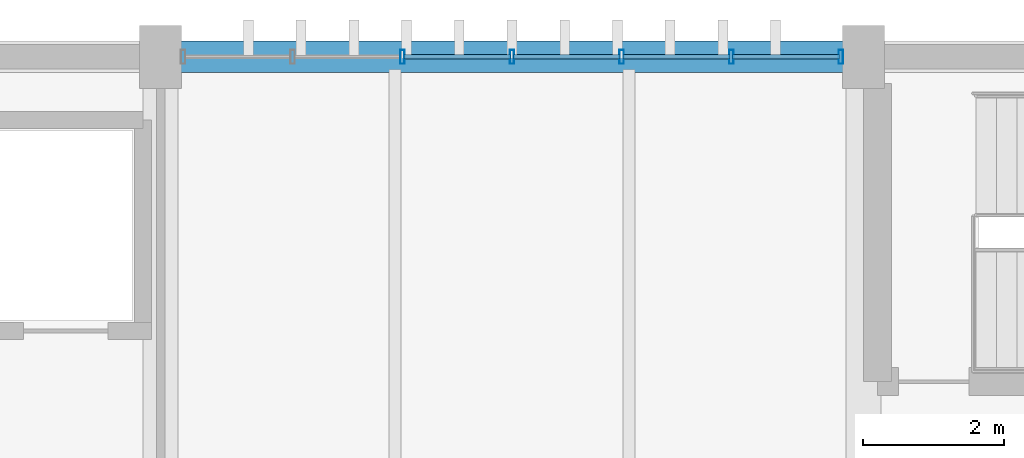
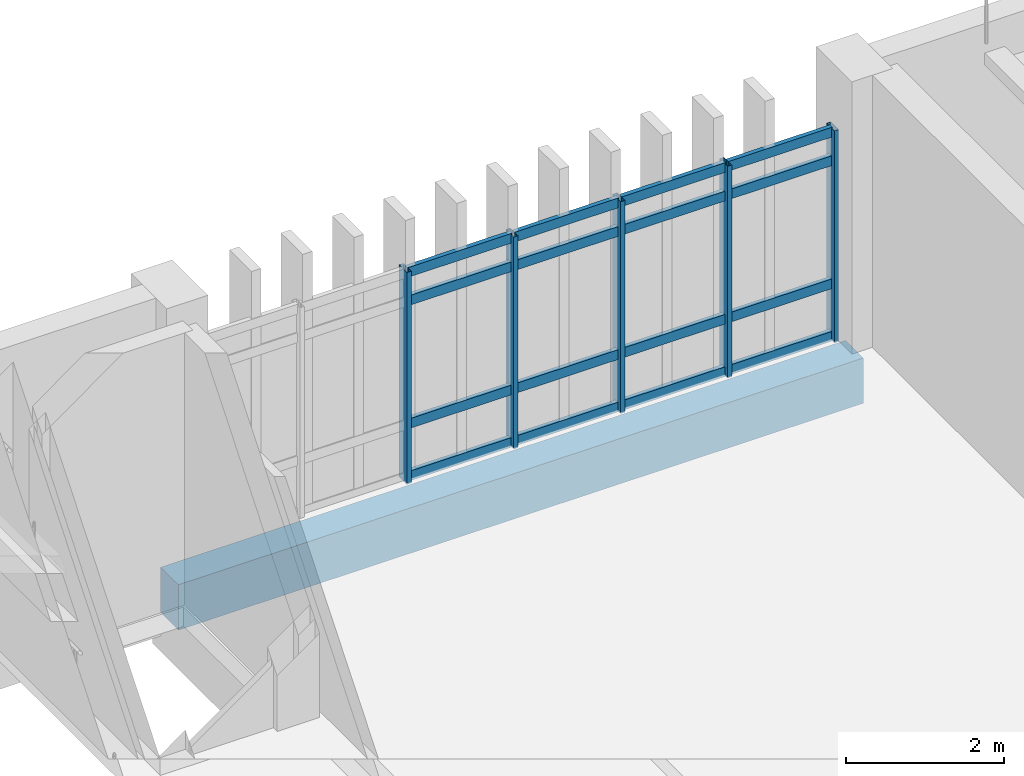
# One storey, part 94 of 161: 21 members, 1 beam, 1 element without a shape of its own.
"""IFC4 building model written with IfcOpenShell, lengths in metres."""

from ifc_helpers import new_model, si_unit, direction, frame, origin, origin_2d, place, context, subcontext, project, spatial, rectangle, hollow_rectangle, extrude, material, layer, layer_set, material_profile, profile_set, type_object, element, aggregate, save


model = new_model("IFC4")

# Units and contexts
model_context = context("Model", 3, precision=1e-05, world=origin(), true_north=direction((0.0, 1.0)))
body_context = subcontext(model_context, "Body", "Model", "MODEL_VIEW")
ifc_project = project(units=[si_unit("LENGTHUNIT", "METRE"), si_unit("AREAUNIT", "SQUARE_METRE"), si_unit("VOLUMEUNIT", "CUBIC_METRE"), si_unit("PLANEANGLEUNIT", "RADIAN"), si_unit("MASSUNIT", "GRAM", prefix="KILO")], contexts=[model_context])

# Site, building, storey
site_placement = place(None, origin())
site = spatial("IfcSite", under=ifc_project, at=site_placement, CompositionType="ELEMENT")
building_placement = place(site_placement, origin())
building = spatial("IfcBuilding", under=site, at=building_placement, Name="Mersad Railyard Sports Hall", CompositionType="ELEMENT")
storey_placement = place(building_placement, frame((0.0, 0.0, 4.800048828125)))
storey = spatial("IfcBuildingStorey", under=building, at=storey_placement, Name="L01", CompositionType="ELEMENT", Elevation=4.800048828125)

# Curtain wall, members
ifc_material_1 = material(Name="Aluminium 6063-T6", Category="aluminium")
ifc_layer = layer(ifc_material_1, 0.199951171875)
ifc_layer_set = layer_set([ifc_layer], Name="Aluminium 6063-T6")
curtain_wall_type = type_object("IfcCurtainWallType", Name="ARC-CW-CW35", PredefinedType="USERDEFINED", material=ifc_layer_set)
curtain_wall_placement = place(storey_placement, origin())
curtain_wall = element("IfcCurtainWall", 1, at=curtain_wall_placement, inside=storey, type_object=curtain_wall_type, Name="Curtain wall CW35-0098", ObjectType="CURTAIN WALL", PredefinedType="USERDEFINED")
ifc_material_profile_1 = material_profile(ifc_material_1, hollow_rectangle(XDim=0.06494140625, YDim=0.199951171875, WallThickness=0.0048828125, at=origin_2d()), Name="AL MULLION 65x200x5")
ifc_profile_set_1 = profile_set([ifc_material_profile_1], Name="Aluminium 6063-T6")
member_type_1 = type_object("IfcMemberType", Name="ARC-CW-MUL02", PredefinedType="MULLION", material=ifc_profile_set_1)
member_1_placement = place(storey_placement, frame((104.43994140625, 115.0, -0.02001953125), z_axis=(0.0, 0.0, 1.0), x_axis=(1.0, 0.0, 0.0)))
member_1 = element("IfcMember", 2, at=member_1_placement, type_object=member_type_1, Name="CW35 Mullion 3", PredefinedType="MULLION", context=body_context, shape_type="SweptSolid", body=[
    extrude(hollow_rectangle(XDim=0.06494140625, YDim=0.199951171875, WallThickness=0.0048828125, at=origin_2d()), origin(), (0.0, 0.0, 1.0), 3.27001953125),
])
member_2_placement = place(storey_placement, frame((106.0, 115.0, -0.02001953125), z_axis=(0.0, 0.0, 1.0), x_axis=(1.0, 0.0, 0.0)))
member_2 = element("IfcMember", 3, at=member_2_placement, type_object=member_type_1, Name="CW35 Mullion 4", PredefinedType="MULLION", context=body_context, shape_type="SweptSolid", body=[
    extrude(hollow_rectangle(XDim=0.06494140625, YDim=0.199951171875, WallThickness=0.0048828125, at=origin_2d()), origin(), (0.0, 0.0, 1.0), 3.27001953125),
])
member_3_placement = place(storey_placement, frame((107.56005859375, 115.0, -0.02001953125), z_axis=(0.0, 0.0, 1.0), x_axis=(1.0, 0.0, 0.0)))
member_3 = element("IfcMember", 4, at=member_3_placement, type_object=member_type_1, Name="CW35 Mullion 5", PredefinedType="MULLION", context=body_context, shape_type="SweptSolid", body=[
    extrude(hollow_rectangle(XDim=0.06494140625, YDim=0.199951171875, WallThickness=0.0048828125, at=origin_2d()), origin(), (0.0, 0.0, 1.0), 3.27001953125),
])
member_4_placement = place(storey_placement, frame((109.1201171875, 115.0, -0.02001953125), z_axis=(0.0, 0.0, 1.0), x_axis=(1.0, 0.0, 0.0)))
member_4 = element("IfcMember", 5, at=member_4_placement, type_object=member_type_1, Name="CW35 Mullion 6", PredefinedType="MULLION", context=body_context, shape_type="SweptSolid", body=[
    extrude(hollow_rectangle(XDim=0.06494140625, YDim=0.199951171875, WallThickness=0.0048828125, at=origin_2d()), origin(), (0.0, 0.0, 1.0), 3.27001953125),
])
member_5_placement = place(storey_placement, frame((110.679931640625, 115.0, -0.02001953125), z_axis=(0.0, 0.0, 1.0), x_axis=(1.0, 0.0, 0.0)))
member_5 = element("IfcMember", 6, at=member_5_placement, type_object=member_type_1, Name="CW35 Mullion 7", PredefinedType="MULLION", context=body_context, shape_type="SweptSolid", body=[
    extrude(hollow_rectangle(XDim=0.06494140625, YDim=0.199951171875, WallThickness=0.0048828125, at=origin_2d()), origin(), (0.0, 0.0, 1.0), 3.27001953125),
])
ifc_material_profile_2 = material_profile(ifc_material_1, hollow_rectangle(XDim=0.06494140625, YDim=0.14990234375, WallThickness=0.00439453125, at=origin_2d()), Name="AL TRANSOM 65x150x4.5")
ifc_profile_set_2 = profile_set([ifc_material_profile_2], Name="Aluminium 6063-T6")
member_type_2 = type_object("IfcMemberType", Name="ARC-CW-TRN02", PredefinedType="USERDEFINED", material=ifc_profile_set_2)
member_6_placement = place(storey_placement, frame((104.4599609375, 115.0, 0.0400390625), z_axis=(1.0, 0.0, 0.0), x_axis=(0.0, 1.0, 0.0)))
member_6 = element("IfcMember", 7, at=member_6_placement, type_object=member_type_2, Name="CW35 Transom 1-3", ObjectType="TRANSOM", PredefinedType="USERDEFINED", context=body_context, shape_type="SweptSolid", body=[
    extrude(hollow_rectangle(XDim=0.06494140625, YDim=0.14990234375, WallThickness=0.00439453125, at=origin_2d()), origin(), (0.0, 0.0, 1.0), 1.52001953125),
])
member_7_placement = place(storey_placement, frame((106.02001953125, 115.0, 0.0400390625), z_axis=(1.0, 0.0, 0.0), x_axis=(0.0, 1.0, 0.0)))
member_7 = element("IfcMember", 8, at=member_7_placement, type_object=member_type_2, Name="CW35 Transom 1-4", ObjectType="TRANSOM", PredefinedType="USERDEFINED", context=body_context, shape_type="SweptSolid", body=[
    extrude(hollow_rectangle(XDim=0.06494140625, YDim=0.14990234375, WallThickness=0.00439453125, at=origin_2d()), origin(), (0.0, 0.0, 1.0), 1.52001953125),
])
member_8_placement = place(storey_placement, frame((107.580078125, 115.0, 0.0400390625), z_axis=(1.0, 0.0, 0.0), x_axis=(0.0, 1.0, 0.0)))
member_8 = element("IfcMember", 9, at=member_8_placement, type_object=member_type_2, Name="CW35 Transom 1-5", ObjectType="TRANSOM", PredefinedType="USERDEFINED", context=body_context, shape_type="SweptSolid", body=[
    extrude(hollow_rectangle(XDim=0.06494140625, YDim=0.14990234375, WallThickness=0.00439453125, at=origin_2d()), origin(), (0.0, 0.0, 1.0), 1.52001953125),
])
member_9_placement = place(storey_placement, frame((109.139892578125, 115.0, 0.0400390625), z_axis=(1.0, 0.0, 0.0), x_axis=(0.0, 1.0, 0.0)))
member_9 = element("IfcMember", 10, at=member_9_placement, type_object=member_type_2, Name="CW35 Transom 1-6", ObjectType="TRANSOM", PredefinedType="USERDEFINED", context=body_context, shape_type="SweptSolid", body=[
    extrude(hollow_rectangle(XDim=0.06494140625, YDim=0.14990234375, WallThickness=0.00439453125, at=origin_2d()), origin(), (0.0, 0.0, 1.0), 1.52001953125),
])
member_10_placement = place(storey_placement, frame((104.4599609375, 115.0, 0.849853515625), z_axis=(1.0, 0.0, 0.0), x_axis=(0.0, 1.0, 0.0)))
member_10 = element("IfcMember", 11, at=member_10_placement, type_object=member_type_2, Name="CW35 Transom 2-3", ObjectType="TRANSOM", PredefinedType="USERDEFINED", context=body_context, shape_type="SweptSolid", body=[
    extrude(hollow_rectangle(XDim=0.06494140625, YDim=0.14990234375, WallThickness=0.00439453125, at=origin_2d()), origin(), (0.0, 0.0, 1.0), 1.52001953125),
])
member_11_placement = place(storey_placement, frame((106.02001953125, 115.0, 0.849853515625), z_axis=(1.0, 0.0, 0.0), x_axis=(0.0, 1.0, 0.0)))
member_11 = element("IfcMember", 12, at=member_11_placement, type_object=member_type_2, Name="CW35 Transom 2-4", ObjectType="TRANSOM", PredefinedType="USERDEFINED", context=body_context, shape_type="SweptSolid", body=[
    extrude(hollow_rectangle(XDim=0.06494140625, YDim=0.14990234375, WallThickness=0.00439453125, at=origin_2d()), origin(), (0.0, 0.0, 1.0), 1.52001953125),
])
member_12_placement = place(storey_placement, frame((107.580078125, 115.0, 0.849853515625), z_axis=(1.0, 0.0, 0.0), x_axis=(0.0, 1.0, 0.0)))
member_12 = element("IfcMember", 13, at=member_12_placement, type_object=member_type_2, Name="CW35 Transom 2-5", ObjectType="TRANSOM", PredefinedType="USERDEFINED", context=body_context, shape_type="SweptSolid", body=[
    extrude(hollow_rectangle(XDim=0.06494140625, YDim=0.14990234375, WallThickness=0.00439453125, at=origin_2d()), origin(), (0.0, 0.0, 1.0), 1.52001953125),
])
member_13_placement = place(storey_placement, frame((109.139892578125, 115.0, 0.849853515625), z_axis=(1.0, 0.0, 0.0), x_axis=(0.0, 1.0, 0.0)))
member_13 = element("IfcMember", 14, at=member_13_placement, type_object=member_type_2, Name="CW35 Transom 2-6", ObjectType="TRANSOM", PredefinedType="USERDEFINED", context=body_context, shape_type="SweptSolid", body=[
    extrude(hollow_rectangle(XDim=0.06494140625, YDim=0.14990234375, WallThickness=0.00439453125, at=origin_2d()), origin(), (0.0, 0.0, 1.0), 1.52001953125),
])
member_14_placement = place(storey_placement, frame((104.4599609375, 115.0, 2.75), z_axis=(1.0, 0.0, 0.0), x_axis=(0.0, 1.0, 0.0)))
member_14 = element("IfcMember", 15, at=member_14_placement, type_object=member_type_2, Name="CW35 Transom 3-3", ObjectType="TRANSOM", PredefinedType="USERDEFINED", context=body_context, shape_type="SweptSolid", body=[
    extrude(hollow_rectangle(XDim=0.06494140625, YDim=0.14990234375, WallThickness=0.00439453125, at=origin_2d()), origin(), (0.0, 0.0, 1.0), 1.52001953125),
])
member_15_placement = place(storey_placement, frame((106.02001953125, 115.0, 2.75), z_axis=(1.0, 0.0, 0.0), x_axis=(0.0, 1.0, 0.0)))
member_15 = element("IfcMember", 16, at=member_15_placement, type_object=member_type_2, Name="CW35 Transom 3-4", ObjectType="TRANSOM", PredefinedType="USERDEFINED", context=body_context, shape_type="SweptSolid", body=[
    extrude(hollow_rectangle(XDim=0.06494140625, YDim=0.14990234375, WallThickness=0.00439453125, at=origin_2d()), origin(), (0.0, 0.0, 1.0), 1.52001953125),
])
member_16_placement = place(storey_placement, frame((107.580078125, 115.0, 2.75), z_axis=(1.0, 0.0, 0.0), x_axis=(0.0, 1.0, 0.0)))
member_16 = element("IfcMember", 17, at=member_16_placement, type_object=member_type_2, Name="CW35 Transom 3-5", ObjectType="TRANSOM", PredefinedType="USERDEFINED", context=body_context, shape_type="SweptSolid", body=[
    extrude(hollow_rectangle(XDim=0.06494140625, YDim=0.14990234375, WallThickness=0.00439453125, at=origin_2d()), origin(), (0.0, 0.0, 1.0), 1.52001953125),
])
member_17_placement = place(storey_placement, frame((109.139892578125, 115.0, 2.75), z_axis=(1.0, 0.0, 0.0), x_axis=(0.0, 1.0, 0.0)))
member_17 = element("IfcMember", 18, at=member_17_placement, type_object=member_type_2, Name="CW35 Transom 3-6", ObjectType="TRANSOM", PredefinedType="USERDEFINED", context=body_context, shape_type="SweptSolid", body=[
    extrude(hollow_rectangle(XDim=0.06494140625, YDim=0.14990234375, WallThickness=0.00439453125, at=origin_2d()), origin(), (0.0, 0.0, 1.0), 1.52001953125),
])
member_18_placement = place(storey_placement, frame((104.4599609375, 115.0, 3.18994140625), z_axis=(1.0, 0.0, 0.0), x_axis=(0.0, 1.0, 0.0)))
member_18 = element("IfcMember", 19, at=member_18_placement, type_object=member_type_2, Name="CW35 Transom 4-3", ObjectType="TRANSOM", PredefinedType="USERDEFINED", context=body_context, shape_type="SweptSolid", body=[
    extrude(hollow_rectangle(XDim=0.06494140625, YDim=0.14990234375, WallThickness=0.00439453125, at=origin_2d()), origin(), (0.0, 0.0, 1.0), 1.52001953125),
])
member_19_placement = place(storey_placement, frame((106.02001953125, 115.0, 3.18994140625), z_axis=(1.0, 0.0, 0.0), x_axis=(0.0, 1.0, 0.0)))
member_19 = element("IfcMember", 20, at=member_19_placement, type_object=member_type_2, Name="CW35 Transom 4-4", ObjectType="TRANSOM", PredefinedType="USERDEFINED", context=body_context, shape_type="SweptSolid", body=[
    extrude(hollow_rectangle(XDim=0.06494140625, YDim=0.14990234375, WallThickness=0.00439453125, at=origin_2d()), origin(), (0.0, 0.0, 1.0), 1.52001953125),
])
member_20_placement = place(storey_placement, frame((107.580078125, 115.0, 3.18994140625), z_axis=(1.0, 0.0, 0.0), x_axis=(0.0, 1.0, 0.0)))
member_20 = element("IfcMember", 21, at=member_20_placement, type_object=member_type_2, Name="CW35 Transom 4-5", ObjectType="TRANSOM", PredefinedType="USERDEFINED", context=body_context, shape_type="SweptSolid", body=[
    extrude(hollow_rectangle(XDim=0.06494140625, YDim=0.14990234375, WallThickness=0.00439453125, at=origin_2d()), origin(), (0.0, 0.0, 1.0), 1.52001953125),
])
member_21_placement = place(storey_placement, frame((109.139892578125, 115.0, 3.18994140625), z_axis=(1.0, 0.0, 0.0), x_axis=(0.0, 1.0, 0.0)))
member_21 = element("IfcMember", 22, at=member_21_placement, type_object=member_type_2, Name="CW35 Transom 4-6", ObjectType="TRANSOM", PredefinedType="USERDEFINED", context=body_context, shape_type="SweptSolid", body=[
    extrude(hollow_rectangle(XDim=0.06494140625, YDim=0.14990234375, WallThickness=0.00439453125, at=origin_2d()), origin(), (0.0, 0.0, 1.0), 1.52001953125),
])
aggregate(curtain_wall, [member_1, member_2, member_3, member_4, member_5, member_6, member_7, member_8, member_9, member_10, member_11, member_12, member_13, member_14, member_15, member_16, member_17, member_18, member_19, member_20, member_21])

# Beam
ifc_material_2 = material(Name="Architectural concrete C40/50", Category="concrete")
ifc_material_profile_3 = material_profile(ifc_material_2, rectangle(XDim=0.449951171875, YDim=0.699951171875, at=origin_2d()), Name="RC 450x700")
ifc_profile_set_3 = profile_set([ifc_material_profile_3], Name="Architectural concrete C40/50")
beam_type = type_object("IfcBeamType", Name="STR-BM-SP01", PredefinedType="SPANDREL", material=ifc_profile_set_3)
beam_placement = place(storey_placement, frame((101.0, 115.0, -0.650146484375), z_axis=(1.0, 0.0, 0.0), x_axis=(0.0, 1.0, 0.0)))
element("IfcBeam", 23, at=beam_placement, inside=storey, type_object=beam_type, Name="Beam SP01-0953", PredefinedType="SPANDREL", context=body_context, shape_type="SweptSolid", body=[
    extrude(rectangle(XDim=0.449951171875, YDim=0.699951171875, at=origin_2d()), origin(), (0.0, 0.0, 1.0), 10.0),
])

save(model, "model.ifc")
